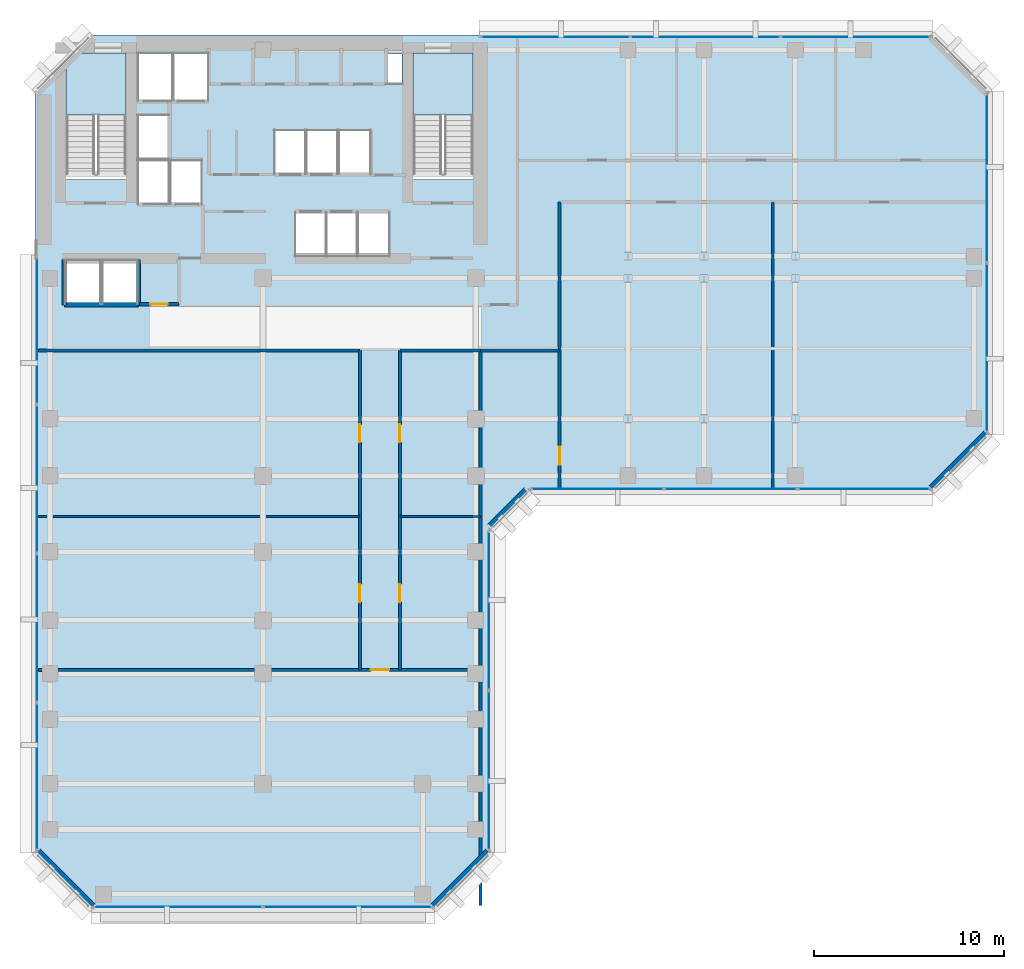
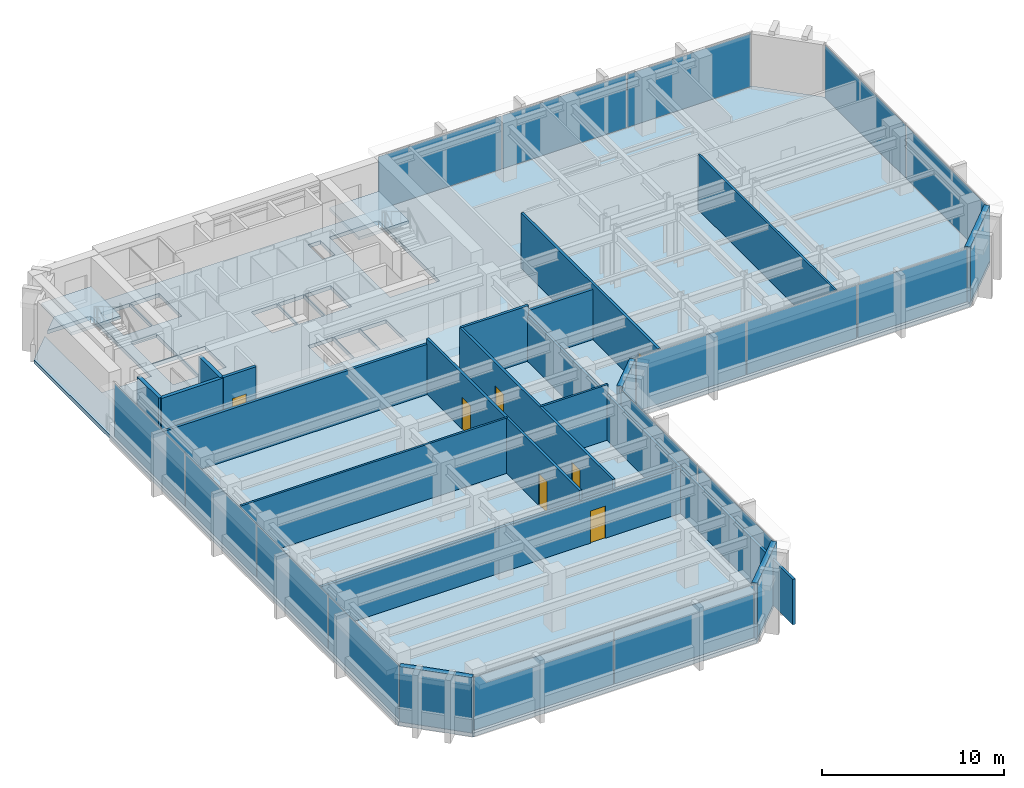
# One storey, part 6 of 11: 19 walls, 16 plates, 7 doors, 3 slabs, 7 openings, 8 elements without a shape of their own.
"""IFC4 building model written with IfcOpenShell, lengths in metres."""

import ifcopenshell
import ifcopenshell.guid

model = None  # the IFC model being written
_history = None  # IfcOwnerHistory: only IFC2X3 demands one
_inside = {}  # id of a spatial element -> (the spatial element, [elements in it])
_under = {}  # id of a project, library or spatial element -> (it, [spatial elements below it])
_declared = {}  # id of a project -> (the project, [libraries it declares])
_typed = {}  # id of a type object -> (the type object, [elements of that type])
_made_of = {}  # id of a material, layer set ... -> (it, [elements and type objects made of it])


def new_model(schema):
    """Start an empty IFC model of exactly this schema.

    Asked for "IFC4X3", IfcOpenShell would pick the latest addendum, in which some entities
    have other attributes; the version numbers below select the first issue.
    IFC2X3 requires an IfcOwnerHistory on every rooted entity: one is made here for all.
    """
    global model, _history
    if schema == "IFC4X3":
        model = ifcopenshell.file(schema_version=(4, 3, 0, 0))
    else:
        model = ifcopenshell.file(schema=schema)
    _inside.clear()
    _under.clear()
    _declared.clear()
    _typed.clear()
    _made_of.clear()
    _history = None
    if model.schema == "IFC2X3":
        org = make("IfcOrganization", Name="unknown")
        user = make(
            "IfcPersonAndOrganization",
            ThePerson=make("IfcPerson", FamilyName="unknown"),
            TheOrganization=org,
        )
        app = make(
            "IfcApplication",
            ApplicationDeveloper=org,
            Version="unknown",
            ApplicationFullName="unknown",
            ApplicationIdentifier="unknown",
        )
        _history = make(
            "IfcOwnerHistory",
            OwningUser=user,
            OwningApplication=app,
            ChangeAction="ADDED",
            CreationDate=0,
        )
    return model


def make(cls, **values):
    """One entity of the class cls with the attributes given. An attribute that is None is left unset."""
    return model.create_entity(
        cls, **{name: value for name, value in values.items() if value is not None}
    )


def rooted(cls, **values):
    """An entity with a GlobalId (a new one), such as an element, a storey or a relation."""
    return make(cls, GlobalId=ifcopenshell.guid.new(), OwnerHistory=_history, **values)


def si_unit(unit_type, name, prefix=None):
    """IfcSIUnit, for example si_unit("LENGTHUNIT", "METRE", prefix="MILLI")."""
    return make("IfcSIUnit", UnitType=unit_type, Prefix=prefix, Name=name)


def assignment(units):
    """IfcUnitAssignment: the units of a project."""
    return None if units is None else make("IfcUnitAssignment", Units=units)


def point(xyz):
    """IfcCartesianPoint."""
    return None if xyz is None else make("IfcCartesianPoint", Coordinates=xyz)


def direction(xyz):
    """IfcDirection."""
    return None if xyz is None else make("IfcDirection", DirectionRatios=xyz)


def frame(location, z_axis=None, x_axis=None):
    """IfcAxis2Placement3D, a coordinate frame: its origin and axes. An axis left out is left unset."""
    return make(
        "IfcAxis2Placement3D",
        Location=point(location),
        Axis=direction(z_axis),
        RefDirection=direction(x_axis),
    )


def frame_2d(location, x_axis=None):
    """IfcAxis2Placement2D, a coordinate frame in the plane: its origin and x axis."""
    return make(
        "IfcAxis2Placement2D", Location=point(location), RefDirection=direction(x_axis)
    )


def origin():
    """The frame at (0, 0, 0) with its axes left unset."""
    return frame((0.0, 0.0, 0.0))


def origin_2d():
    """The frame at (0, 0) in the plane with its x axis left unset."""
    return frame_2d((0.0, 0.0))


def place(relative_to, where):
    """IfcLocalPlacement: puts the frame where relative to a parent placement (None: the world)."""
    return make(
        "IfcLocalPlacement", PlacementRelTo=relative_to, RelativePlacement=where
    )


def context(
    kind, dimensions, precision=None, world=None, true_north=None, identifier=None
):
    """IfcGeometricRepresentationContext, for example the 3D "Model" context."""
    return make(
        "IfcGeometricRepresentationContext",
        ContextIdentifier=identifier,
        ContextType=kind,
        CoordinateSpaceDimension=dimensions,
        Precision=precision,
        WorldCoordinateSystem=world,
        TrueNorth=true_north,
    )


def subcontext(parent, identifier, kind, view, scale=None):
    """IfcGeometricRepresentationSubContext, for example "Body" below "Model"."""
    return make(
        "IfcGeometricRepresentationSubContext",
        ContextIdentifier=identifier,
        ContextType=kind,
        ParentContext=parent,
        TargetScale=scale,
        TargetView=view,
    )


def project(units=None, contexts=None):
    """IfcProject with its units and contexts."""
    return rooted(
        "IfcProject",
        Name="project",
        RepresentationContexts=contexts,
        UnitsInContext=assignment(units),
    )


def spatial(cls, under=None, at=None, **own):
    """A site, building, storey or space (cls), placed at a placement, below another one or the project."""
    s = rooted(cls, ObjectPlacement=at, **own)
    if under is not None:
        _under.setdefault(under.id(), (under, []))[1].append(s)
    return s


def polyline(points):
    """IfcPolyline through the points."""
    return make("IfcPolyline", Points=[point(p) for p in points])


def profile(cls, at=None, kind="AREA", **sizes):
    """A parametric profile (cls). Its sizes go by their IFC names, for example OverallWidth=200.0."""
    return make(cls, ProfileType=kind, Position=at, **sizes)


def rectangle(**sizes):
    """IfcRectangleProfileDef."""
    return profile("IfcRectangleProfileDef", **sizes)


def outline(outer, holes=None, kind="AREA"):
    """IfcArbitraryClosedProfileDef: a profile drawn as a closed curve; with holes, ...WithVoids."""
    if holes is None:
        return make("IfcArbitraryClosedProfileDef", ProfileType=kind, OuterCurve=outer)
    return make(
        "IfcArbitraryProfileDefWithVoids",
        ProfileType=kind,
        OuterCurve=outer,
        InnerCurves=holes,
    )


def extrude(swept, where, along, depth):
    """IfcExtrudedAreaSolid: the profile swept, set in the frame where, extruded along a direction by depth."""
    return make(
        "IfcExtrudedAreaSolid",
        SweptArea=swept,
        Position=where,
        ExtrudedDirection=direction(along),
        Depth=depth,
    )


def shape(context_of_items, identifier, shape_type, items):
    """IfcShapeRepresentation: the items that make up one representation, for example the "Body"."""
    return make(
        "IfcShapeRepresentation",
        ContextOfItems=context_of_items,
        RepresentationIdentifier=identifier,
        RepresentationType=shape_type,
        Items=items,
    )


def material(Name=None, Category=None):
    """IfcMaterial."""
    return make("IfcMaterial", Name=Name, Category=Category)


def layer(
    of_material, thickness, ventilated=None, Name=None, Category=None, Priority=None
):
    """IfcMaterialLayer: one layer of a wall or slab, of a material (None: an air gap)."""
    return make(
        "IfcMaterialLayer",
        Material=of_material,
        LayerThickness=thickness,
        IsVentilated=ventilated,
        Name=Name,
        Category=Category,
        Priority=Priority,
    )


def layer_set(layers, Name=None):
    """IfcMaterialLayerSet."""
    return make("IfcMaterialLayerSet", MaterialLayers=layers, LayerSetName=Name)


def made_of(thing, what):
    """Note that an element or type object is made of a material, layer set ...; save() writes the relation."""
    if what is not None:
        _made_of.setdefault(what.id(), (what, []))[1].append(thing)
    return thing


def type_object(cls, material=None, **own):
    """A type object (cls), such as IfcWallType, which elements share."""
    return made_of(rooted(cls, **own), material)


def element(
    cls,
    number,
    at=None,
    inside=None,
    cuts=None,
    type_object=None,
    material=None,
    context=None,
    identifier="Body",
    shape_type=None,
    held_by="IfcProductDefinitionShape",
    body=None,
    shapes=None,
    **own,
):
    """One element of the class cls, such as IfcWall. Its Tag is "e" and its number.

    at: its placement. inside: the storey or other place that contains it. cuts: it is an
    opening in that element (IfcRelVoidsElement). A single representation is given by context,
    identifier, shape_type and body (its items); several are given by shapes. held_by: the class
    of the entity that holds the representations. save() writes the other relations.
    """
    e = rooted(cls, Tag="e%d" % number, ObjectPlacement=at, **own)
    if body is not None:
        shapes = [shape(context, identifier, shape_type, body)]
    if shapes is not None:
        e.Representation = make(held_by, Representations=shapes)
    if inside is not None:
        _inside.setdefault(inside.id(), (inside, []))[1].append(e)
    if cuts is not None:
        rooted(
            "IfcRelVoidsElement", RelatingBuildingElement=cuts, RelatedOpeningElement=e
        )
    if type_object is not None:
        _typed.setdefault(type_object.id(), (type_object, []))[1].append(e)
    return made_of(e, material)


def fill(opening, filler):
    """IfcRelFillsElement: the door or window that sits in an opening."""
    return rooted(
        "IfcRelFillsElement",
        RelatingOpeningElement=opening,
        RelatedBuildingElement=filler,
    )


def aggregate(whole, parts):
    """IfcRelAggregates: a whole, such as a stair, and the parts it consists of."""
    return rooted("IfcRelAggregates", RelatingObject=whole, RelatedObjects=parts)


def save(model, path):
    """Write the relations noted so far, then the file.

    IfcRelAggregates (storeys below a building ...), IfcRelContainedInSpatialStructure (elements
    in a storey), IfcRelDefinesByType, IfcRelAssociatesMaterial and IfcRelDeclares: one each for
    every whole, place, type object, material and project.
    """
    for whole, parts in _under.values():
        aggregate(whole, parts)
    for where, things in _inside.values():
        rooted(
            "IfcRelContainedInSpatialStructure",
            RelatedElements=things,
            RelatingStructure=where,
        )
    for kind, things in _typed.values():
        rooted("IfcRelDefinesByType", RelatedObjects=things, RelatingType=kind)
    for what, things in _made_of.values():
        rooted("IfcRelAssociatesMaterial", RelatedObjects=things, RelatingMaterial=what)
    for by, libraries in _declared.values():
        rooted("IfcRelDeclares", RelatingContext=by, RelatedDefinitions=libraries)
    model.write(path)


model = new_model("IFC4")

# Units and contexts
model_context = context("Model", 3, precision=1e-05, world=origin(), true_north=direction((0.0, 1.0)))
body_context = subcontext(model_context, "Body", "Model", "MODEL_VIEW")
ifc_project = project(units=[si_unit("LENGTHUNIT", "METRE"), si_unit("AREAUNIT", "SQUARE_METRE"), si_unit("VOLUMEUNIT", "CUBIC_METRE"), si_unit("PLANEANGLEUNIT", "RADIAN"), si_unit("MASSUNIT", "GRAM", prefix="KILO")], contexts=[model_context])

# Site, building, storey
site_placement = place(None, origin())
site = spatial("IfcSite", under=ifc_project, at=site_placement, CompositionType="ELEMENT")
building_placement = place(site_placement, origin())
building = spatial("IfcBuilding", under=site, at=building_placement, Name="Kefirva Bronze Tower", CompositionType="ELEMENT")
storey_placement = place(building_placement, frame((0.0, 0.0, 179.52001953125)))
storey = spatial("IfcBuildingStorey", under=building, at=storey_placement, Name="L43", CompositionType="ELEMENT", Elevation=179.52001953125)

# Stair, slab
ifc_material_1 = material(Name="Concrete C40/50", Category="concrete")
stair_type = type_object("IfcStairType", Name="RC Dogleg Protected Stair 24R", PredefinedType="HALF_TURN_STAIR", material=ifc_material_1)
stair_1_placement = place(storey_placement, origin())
stair_1 = element("IfcStair", 1, at=stair_1_placement, inside=storey, type_object=stair_type, Name="L43 Protected Exit Stair 1", PredefinedType="HALF_TURN_STAIR")
ifc_layer_1 = layer(ifc_material_1, 0.199951171875, Name="Concrete C40/50")
ifc_layer_set_1 = layer_set([ifc_layer_1], Name="Concrete C40/50")
slab_type_1 = type_object("IfcSlabType", Name="RC Stair Landing Slab 200mm", PredefinedType="LANDING", material=ifc_layer_set_1)
slab_1_placement = place(storey_placement, frame((0.0, 0.0, 1.780029296875)))
slab_1 = element("IfcSlab", 2, at=slab_1_placement, type_object=slab_type_1, Name="ST-1 landing 1", PredefinedType="LANDING", context=body_context, shape_type="SweptSolid", body=[
    extrude(outline(polyline([(4.800048828125, 41.780029296875), (4.800048828125, 45.050048828125), (1.64990234375, 45.050048828125), (1.64990234375, 41.780029296875), (4.800048828125, 41.780029296875)])), origin(), (0.0, 0.0, 1.0), 0.199951171875),
])
aggregate(stair_1, [slab_1])

stair_2_placement = place(storey_placement, origin())
stair_2 = element("IfcStair", 3, at=stair_2_placement, inside=storey, type_object=stair_type, Name="L43 Protected Exit Stair 2", PredefinedType="HALF_TURN_STAIR")
slab_2_placement = place(storey_placement, frame((0.0, 0.0, 1.780029296875)))
slab_2 = element("IfcSlab", 4, at=slab_2_placement, type_object=slab_type_1, Name="ST-2 landing 1", PredefinedType="LANDING", context=body_context, shape_type="SweptSolid", body=[
    extrude(outline(polyline([(23.050048828125, 41.780029296875), (23.050048828125, 45.050048828125), (19.89990234375, 45.050048828125), (19.89990234375, 41.780029296875), (23.050048828125, 41.780029296875)])), origin(), (0.0, 0.0, 1.0), 0.199951171875),
])
aggregate(stair_2, [slab_2])

# Slab
ifc_layer_2 = layer(ifc_material_1, 0.25, Name="Concrete C40/50")
ifc_layer_set_2 = layer_set([ifc_layer_2], Name="Concrete C40/50")
slab_type_2 = type_object("IfcSlabType", Name="RC Tower Floor Slab 250mm", PredefinedType="FLOOR", material=ifc_layer_set_2)
slab_3_placement = place(storey_placement, frame((0.0, 0.0, -0.25)))
element("IfcSlab", 5, at=slab_3_placement, inside=storey, type_object=slab_type_2, Name="L43 Structural Floor Slab", PredefinedType="FLOOR", context=body_context, shape_type="SweptSolid", body=[
    extrude(outline(polyline([(0.0, 3.0), (0.0, 43.0), (1.64990234375, 44.64990234375), (1.64990234375, 38.39990234375), (4.800048828125, 38.39990234375), (4.800048828125, 45.050048828125), (2.050048828125, 45.050048828125), (3.0, 46.0), (47.199951171875, 46.0), (50.199951171875, 43.0), (50.199951171875, 25.0), (47.199951171875, 22.0), (26.0, 22.0), (24.0, 20.0), (24.0, 3.0), (21.0, 0.0), (3.0, 0.0), (0.0, 3.0)]), holes=[polyline([(23.050048828125, 38.39990234375), (23.050048828125, 45.050048828125), (19.89990234375, 45.050048828125), (19.89990234375, 38.39990234375), (23.050048828125, 38.39990234375)]), polyline([(19.320068359375, 43.419921875), (19.320068359375, 45.0), (18.52001953125, 45.0), (18.52001953125, 43.419921875), (19.320068359375, 43.419921875)]), polyline([(18.64990234375, 34.35009765625), (18.64990234375, 36.64990234375), (17.0, 36.64990234375), (17.0, 34.35009765625), (18.64990234375, 34.35009765625)]), polyline([(17.64990234375, 38.679931640625), (17.64990234375, 40.97998046875), (16.0, 40.97998046875), (16.0, 38.679931640625), (17.64990234375, 38.679931640625)]), polyline([(16.949951171875, 34.35009765625), (16.949951171875, 36.64990234375), (15.35009765625, 36.64990234375), (15.35009765625, 34.35009765625), (16.949951171875, 34.35009765625)]), polyline([(15.929931640625, 38.679931640625), (15.929931640625, 40.97998046875), (14.300048828125, 40.97998046875), (14.300048828125, 38.679931640625), (15.929931640625, 38.679931640625)]), polyline([(15.300048828125, 34.35009765625), (15.300048828125, 36.64990234375), (13.699951171875, 36.64990234375), (13.699951171875, 34.35009765625), (15.300048828125, 34.35009765625)]), polyline([(14.22998046875, 38.679931640625), (14.22998046875, 40.97998046875), (12.60009765625, 40.97998046875), (12.60009765625, 38.679931640625), (14.22998046875, 38.679931640625)]), polyline([(9.1201171875, 42.550048828125), (9.1201171875, 45.050048828125), (7.300048828125, 45.050048828125), (7.300048828125, 42.550048828125), (9.1201171875, 42.550048828125)]), polyline([(8.780029296875, 37.10009765625), (8.780029296875, 39.39990234375), (7.139892578125, 39.39990234375), (7.139892578125, 37.10009765625), (8.780029296875, 37.10009765625)]), polyline([(7.239990234375, 42.550048828125), (7.239990234375, 45.050048828125), (5.419921875, 45.050048828125), (5.419921875, 42.550048828125), (7.239990234375, 42.550048828125)]), polyline([(7.06005859375, 37.10009765625), (7.06005859375, 39.39990234375), (5.419921875, 39.39990234375), (5.419921875, 37.10009765625), (7.06005859375, 37.10009765625)]), polyline([(7.06005859375, 39.47998046875), (7.06005859375, 41.780029296875), (5.419921875, 41.780029296875), (5.419921875, 39.47998046875), (7.06005859375, 39.47998046875)]), polyline([(5.39990234375, 31.85009765625), (5.39990234375, 34.14990234375), (3.550048828125, 34.14990234375), (3.550048828125, 31.85009765625), (5.39990234375, 31.85009765625)]), polyline([(3.449951171875, 31.85009765625), (3.449951171875, 34.14990234375), (1.60009765625, 34.14990234375), (1.60009765625, 31.85009765625), (3.449951171875, 31.85009765625)])]), origin(), (0.0, 0.0, 1.0), 0.25),
])

# Curtain wall, plates
ifc_material_2 = material(Name="Bronze anodised aluminium", Category="aluminium")
ifc_layer_3 = layer(ifc_material_2, 0.199951171875, Name="Bronze anodised aluminium")
ifc_layer_set_3 = layer_set([ifc_layer_3], Name="Bronze anodised aluminium")
curtain_wall_type = type_object("IfcCurtainWallType", Name="Unitised Bronze Ribbon Curtain Wall Zone 2", PredefinedType="USERDEFINED", material=ifc_layer_set_3)
curtain_wall_1_placement = place(storey_placement, origin())
curtain_wall_1 = element("IfcCurtainWall", 6, at=curtain_wall_1_placement, inside=storey, type_object=curtain_wall_type, Name="L43 Curtain Wall 1", ObjectType="UNITISED CURTAIN WALL", PredefinedType="USERDEFINED")
ifc_material_3 = material(Name="Laminated low-E double glazing", Category="glass")
ifc_layer_4 = layer(ifc_material_3, 0.031982421875, Name="Laminated low-E double glazing")
ifc_layer_set_4 = layer_set([ifc_layer_4], Name="Laminated low-E double glazing")
plate_type = type_object("IfcPlateType", Name="Solar-Control Low-E Vision Panel 32mm", PredefinedType="CURTAIN_PANEL", material=ifc_layer_set_4)
plate_1_placement = place(storey_placement, frame((7.546142578125, 0.1201171875, 0.074951171875), z_axis=(0.0, 0.0, 1.0), x_axis=(1.0, 0.0, 0.0)))
plate_1 = element("IfcPlate", 7, at=plate_1_placement, type_object=plate_type, Name="CW-02 panel 1.1", PredefinedType="CURTAIN_PANEL", context=body_context, shape_type="SweptSolid", body=[
    extrude(rectangle(XDim=8.83251953125, YDim=0.031982421875, at=origin_2d()), origin(), (0.0, 0.0, 1.0), 3.56005859375),
])
plate_2_placement = place(storey_placement, frame((16.453857421875, 0.1201171875, 0.074951171875), z_axis=(0.0, 0.0, 1.0), x_axis=(1.0, 0.0, 0.0)))
plate_2 = element("IfcPlate", 8, at=plate_2_placement, type_object=plate_type, Name="CW-02 panel 2.1", PredefinedType="CURTAIN_PANEL", context=body_context, shape_type="SweptSolid", body=[
    extrude(rectangle(XDim=8.83251953125, YDim=0.031982421875, at=origin_2d()), origin(), (0.0, 0.0, 1.0), 3.56005859375),
])
aggregate(curtain_wall_1, [plate_1, plate_2])

curtain_wall_2_placement = place(storey_placement, origin())
curtain_wall_2 = element("IfcCurtainWall", 9, at=curtain_wall_2_placement, inside=storey, type_object=curtain_wall_type, Name="L43 Curtain Wall 2", ObjectType="UNITISED CURTAIN WALL", PredefinedType="USERDEFINED")
plate_3_placement = place(storey_placement, frame((23.8798828125, 7.296142578125, 0.074951171875), z_axis=(0.0, 0.0, 1.0), x_axis=(0.0, 1.0, 0.0)))
plate_3 = element("IfcPlate", 10, at=plate_3_placement, type_object=plate_type, Name="CW-02 panel 1.1", PredefinedType="CURTAIN_PANEL", context=body_context, shape_type="SweptSolid", body=[
    extrude(rectangle(XDim=8.33251953125, YDim=0.031982421875, at=origin_2d()), origin(), (0.0, 0.0, 1.0), 3.56005859375),
])
plate_4_placement = place(storey_placement, frame((23.8798828125, 15.703857421875, 0.074951171875), z_axis=(0.0, 0.0, 1.0), x_axis=(0.0, 1.0, 0.0)))
plate_4 = element("IfcPlate", 11, at=plate_4_placement, type_object=plate_type, Name="CW-02 panel 2.1", PredefinedType="CURTAIN_PANEL", context=body_context, shape_type="SweptSolid", body=[
    extrude(rectangle(XDim=8.33251953125, YDim=0.031982421875, at=origin_2d()), origin(), (0.0, 0.0, 1.0), 3.56005859375),
])
aggregate(curtain_wall_2, [plate_3, plate_4])

curtain_wall_3_placement = place(storey_placement, origin())
curtain_wall_3 = element("IfcCurtainWall", 12, at=curtain_wall_3_placement, inside=storey, type_object=curtain_wall_type, Name="L43 Curtain Wall 3", ObjectType="UNITISED CURTAIN WALL", PredefinedType="USERDEFINED")
plate_5_placement = place(storey_placement, frame((29.5888671875, 22.1201171875, 0.074951171875), z_axis=(0.0, 0.0, 1.0), x_axis=(1.0, 0.0, 0.0)))
plate_5 = element("IfcPlate", 13, at=plate_5_placement, type_object=plate_type, Name="CW-02 panel 1.1", PredefinedType="CURTAIN_PANEL", context=body_context, shape_type="SweptSolid", body=[
    extrude(rectangle(XDim=6.91748046875, YDim=0.031982421875, at=origin_2d()), origin(), (0.0, 0.0, 1.0), 3.56005859375),
])
plate_6_placement = place(storey_placement, frame((36.60009765625, 22.1201171875, 0.074951171875), z_axis=(0.0, 0.0, 1.0), x_axis=(1.0, 0.0, 0.0)))
plate_6 = element("IfcPlate", 14, at=plate_6_placement, type_object=plate_type, Name="CW-02 panel 2.1", PredefinedType="CURTAIN_PANEL", context=body_context, shape_type="SweptSolid", body=[
    extrude(rectangle(XDim=6.955078125, YDim=0.031982421875, at=origin_2d()), origin(), (0.0, 0.0, 1.0), 3.56005859375),
])
plate_7_placement = place(storey_placement, frame((43.611328125, 22.1201171875, 0.074951171875), z_axis=(0.0, 0.0, 1.0), x_axis=(1.0, 0.0, 0.0)))
plate_7 = element("IfcPlate", 15, at=plate_7_placement, type_object=plate_type, Name="CW-02 panel 3.1", PredefinedType="CURTAIN_PANEL", context=body_context, shape_type="SweptSolid", body=[
    extrude(rectangle(XDim=6.91748046875, YDim=0.031982421875, at=origin_2d()), origin(), (0.0, 0.0, 1.0), 3.56005859375),
])
aggregate(curtain_wall_3, [plate_5, plate_6, plate_7])

curtain_wall_4_placement = place(storey_placement, origin())
curtain_wall_4 = element("IfcCurtainWall", 16, at=curtain_wall_4_placement, inside=storey, type_object=curtain_wall_type, Name="L43 Curtain Wall 4", ObjectType="UNITISED CURTAIN WALL", PredefinedType="USERDEFINED")
plate_8_placement = place(storey_placement, frame((50.080078125, 29.546142578125, 0.074951171875), z_axis=(0.0, 0.0, 1.0), x_axis=(0.0, 1.0, 0.0)))
plate_8 = element("IfcPlate", 17, at=plate_8_placement, type_object=plate_type, Name="CW-02 panel 1.1", PredefinedType="CURTAIN_PANEL", context=body_context, shape_type="SweptSolid", body=[
    extrude(rectangle(XDim=8.83251953125, YDim=0.031982421875, at=origin_2d()), origin(), (0.0, 0.0, 1.0), 3.56005859375),
])
plate_9_placement = place(storey_placement, frame((50.080078125, 38.453857421875, 0.074951171875), z_axis=(0.0, 0.0, 1.0), x_axis=(0.0, 1.0, 0.0)))
plate_9 = element("IfcPlate", 18, at=plate_9_placement, type_object=plate_type, Name="CW-02 panel 2.1", PredefinedType="CURTAIN_PANEL", context=body_context, shape_type="SweptSolid", body=[
    extrude(rectangle(XDim=8.83251953125, YDim=0.031982421875, at=origin_2d()), origin(), (0.0, 0.0, 1.0), 3.56005859375),
])
aggregate(curtain_wall_4, [plate_8, plate_9])

curtain_wall_5_placement = place(storey_placement, origin())
curtain_wall_5 = element("IfcCurtainWall", 19, at=curtain_wall_5_placement, inside=storey, type_object=curtain_wall_type, Name="L43 Curtain Wall 5", ObjectType="UNITISED CURTAIN WALL", PredefinedType="USERDEFINED")
plate_10_placement = place(storey_placement, frame((43.169677734375, 45.8798828125, 0.074951171875), z_axis=(0.0, 0.0, 1.0), x_axis=(-1.0, 0.0, 0.0)))
plate_10 = element("IfcPlate", 20, at=plate_10_placement, type_object=plate_type, Name="CW-02 panel 1.1", PredefinedType="CURTAIN_PANEL", context=body_context, shape_type="SweptSolid", body=[
    extrude(rectangle(XDim=7.80078125, YDim=0.031982421875, at=origin_2d()), origin(), (0.0, 0.0, 1.0), 3.56005859375),
])
plate_11_placement = place(storey_placement, frame((35.27490234375, 45.8798828125, 0.074951171875), z_axis=(0.0, 0.0, 1.0), x_axis=(-1.0, 0.0, 0.0)))
plate_11 = element("IfcPlate", 21, at=plate_11_placement, type_object=plate_type, Name="CW-02 panel 2.1", PredefinedType="CURTAIN_PANEL", context=body_context, shape_type="SweptSolid", body=[
    extrude(rectangle(XDim=7.83837890625, YDim=0.031982421875, at=origin_2d()), origin(), (0.0, 0.0, 1.0), 3.56005859375),
])
plate_12_placement = place(storey_placement, frame((27.38037109375, 45.8798828125, 0.074951171875), z_axis=(0.0, 0.0, 1.0), x_axis=(-1.0, 0.0, 0.0)))
plate_12 = element("IfcPlate", 22, at=plate_12_placement, type_object=plate_type, Name="CW-02 panel 3.1", PredefinedType="CURTAIN_PANEL", context=body_context, shape_type="SweptSolid", body=[
    extrude(rectangle(XDim=7.80078125, YDim=0.031982421875, at=origin_2d()), origin(), (0.0, 0.0, 1.0), 3.56005859375),
])
aggregate(curtain_wall_5, [plate_10, plate_11, plate_12])

curtain_wall_6_placement = place(storey_placement, origin())
curtain_wall_6 = element("IfcCurtainWall", 23, at=curtain_wall_6_placement, inside=storey, type_object=curtain_wall_type, Name="L43 Curtain Wall 6", ObjectType="UNITISED CURTAIN WALL", PredefinedType="USERDEFINED")
plate_13_placement = place(storey_placement, frame((0.1201171875, 30.458740234375, 0.074951171875), z_axis=(0.0, 0.0, 1.0), x_axis=(0.0, -1.0, 0.0)))
plate_13 = element("IfcPlate", 24, at=plate_13_placement, type_object=plate_type, Name="CW-02 panel 1.1", PredefinedType="CURTAIN_PANEL", context=body_context, shape_type="SweptSolid", body=[
    extrude(rectangle(XDim=7.722412109375, YDim=0.031982421875, at=origin_2d()), origin(), (0.0, 0.0, 1.0), 3.56005859375),
])
plate_14_placement = place(storey_placement, frame((0.1201171875, 22.642578125, 0.074951171875), z_axis=(0.0, 0.0, 1.0), x_axis=(0.0, -1.0, 0.0)))
plate_14 = element("IfcPlate", 25, at=plate_14_placement, type_object=plate_type, Name="CW-02 panel 2.1", PredefinedType="CURTAIN_PANEL", context=body_context, shape_type="SweptSolid", body=[
    extrude(rectangle(XDim=7.760009765625, YDim=0.031982421875, at=origin_2d()), origin(), (0.0, 0.0, 1.0), 3.56005859375),
])
plate_15_placement = place(storey_placement, frame((0.1201171875, 14.8076171875, 0.074951171875), z_axis=(0.0, 0.0, 1.0), x_axis=(0.0, -1.0, 0.0)))
plate_15 = element("IfcPlate", 26, at=plate_15_placement, type_object=plate_type, Name="CW-02 panel 3.1", PredefinedType="CURTAIN_PANEL", context=body_context, shape_type="SweptSolid", body=[
    extrude(rectangle(XDim=7.760009765625, YDim=0.031982421875, at=origin_2d()), origin(), (0.0, 0.0, 1.0), 3.56005859375),
])
plate_16_placement = place(storey_placement, frame((0.1201171875, 6.9912109375, 0.074951171875), z_axis=(0.0, 0.0, 1.0), x_axis=(0.0, -1.0, 0.0)))
plate_16 = element("IfcPlate", 27, at=plate_16_placement, type_object=plate_type, Name="CW-02 panel 4.1", PredefinedType="CURTAIN_PANEL", context=body_context, shape_type="SweptSolid", body=[
    extrude(rectangle(XDim=7.722412109375, YDim=0.031982421875, at=origin_2d()), origin(), (0.0, 0.0, 1.0), 3.56005859375),
])
aggregate(curtain_wall_6, [plate_13, plate_14, plate_15, plate_16])

# Walls
ifc_material_4 = material(Name="Gypsum acoustic partition")
ifc_layer_5 = layer(ifc_material_4, 0.1298828125, Name="Gypsum acoustic partition")
ifc_layer_set_5 = layer_set([ifc_layer_5], Name="Gypsum acoustic partition")
wall_type_1 = type_object("IfcWallType", Name="Acoustic Office Partition 130mm", PredefinedType="PARTITIONING", material=ifc_layer_set_5)
wall_1_placement = place(storey_placement, frame((0.18994140625, 20.6640625, 0.0), z_axis=(0.0, 0.0, 1.0), x_axis=(1.0, 0.0, 0.0)))
element("IfcWall", 28, at=wall_1_placement, inside=storey, type_object=wall_type_1, Name="L43 Partition W-L43-SWD1", PredefinedType="PARTITIONING", context=body_context, shape_type="SweptSolid", body=[
    extrude(rectangle(XDim=16.91015625, YDim=0.1298828125, at=frame_2d((8.455078125, 0.0))), origin(), (0.0, 0.0, 1.0), 3.7099609375),
])
wall_2_placement = place(storey_placement, frame((19.199951171875, 20.6640625, 0.0), z_axis=(0.0, 0.0, 1.0), x_axis=(1.0, 0.0, 0.0)))
element("IfcWall", 29, at=wall_2_placement, inside=storey, type_object=wall_type_1, Name="L43 Partition W-L43-SED1", PredefinedType="PARTITIONING", context=body_context, shape_type="SweptSolid", body=[
    extrude(rectangle(XDim=4.25, YDim=0.1298828125, at=frame_2d((2.125, 0.0))), origin(), (0.0, 0.0, 1.0), 3.7099609375),
])
wall_3_placement = place(storey_placement, frame((38.804931640625, 22.18994140625, 0.0), z_axis=(0.0, 0.0, 1.0), x_axis=(0.0, 1.0, 0.0)))
element("IfcWall", 30, at=wall_3_placement, inside=storey, type_object=wall_type_1, Name="L43 Partition W-L43-ESD1", PredefinedType="PARTITIONING", context=body_context, shape_type="SweptSolid", body=[
    extrude(rectangle(XDim=15.010009765625, YDim=0.1298828125, at=frame_2d((7.5048828125, 0.0))), origin(), (0.0, 0.0, 1.0), 3.7099609375),
])
ifc_material_5 = material(Name="Gypsum fireboard shaftwall")
ifc_layer_6 = layer(ifc_material_5, 0.219970703125, Name="Gypsum fireboard shaftwall")
ifc_layer_set_6 = layer_set([ifc_layer_6], Name="Gypsum fireboard shaftwall")
wall_type_2 = type_object("IfcWallType", Name="Fire-Rated Shaft Enclosure Wall 220mm", PredefinedType="PARTITIONING", material=ifc_layer_set_6)
wall_4_placement = place(storey_placement, frame((1.550048828125, 31.800048828125, 0.0), z_axis=(0.0, 0.0, 1.0), x_axis=(1.0, 0.0, 0.0)))
element("IfcWall", 31, at=wall_4_placement, inside=storey, type_object=wall_type_2, Name="L43 Partition W-L43-OBS", PredefinedType="PARTITIONING", context=body_context, shape_type="SweptSolid", body=[
    extrude(rectangle(XDim=3.89990234375, YDim=0.219970703125, at=frame_2d((1.949951171875, 0.0))), origin(), (0.0, 0.0, 1.0), 3.7099609375),
])
for number, where, z_axis, x_axis, name in (
    (32, (1.550048828125, 31.800048828125, 0.0), (0.0, 0.0, 1.0), (0.0, 1.0, 0.0), "L43 Partition W-L43-OBW"),
    (33, (5.449951171875, 31.800048828125, 0.0), (0.0, 0.0, 1.0), (0.0, 1.0, 0.0), "L43 Partition W-L43-OBE"),
):
    element("IfcWall", number, at=place(storey_placement, frame(where, z_axis=z_axis, x_axis=x_axis)), inside=storey, type_object=wall_type_2, Name=name, PredefinedType="PARTITIONING", context=body_context, shape_type="SweptSolid", body=[
        extrude(rectangle(XDim=2.3798828125, YDim=0.219970703125, at=frame_2d((1.18994140625, 0.0))), origin(), (0.0, 0.0, 1.0), 3.7099609375),
    ])
ifc_material_6 = material(Name="Precast concrete C40/50", Category="concrete")
ifc_layer_7 = layer(ifc_material_6, 0.320068359375, Name="Precast concrete C40/50")
ifc_layer_set_7 = layer_set([ifc_layer_7], Name="Precast concrete C40/50")
wall_type_3 = type_object("IfcWallType", Name="Precast Insulated Exterior Wall 320mm", PredefinedType="SOLIDWALL", material=ifc_layer_set_7)
wall_5_placement = place(storey_placement, frame((20.92578125, 0.152099609375, 0.0), z_axis=(0.0, 0.0, 1.0), x_axis=(0.707106781187, 0.707106781187, 0.0)))
element("IfcWall", 34, at=wall_5_placement, inside=storey, type_object=wall_type_3, Name="L43 Exterior Facade Wall 1", PredefinedType="SOLIDWALL", context=body_context, shape_type="SweptSolid", body=[
    extrude(rectangle(XDim=4.132568359375, YDim=0.320068359375, at=frame_2d((2.06640625, 0.0))), origin(), (0.0, 0.0, 1.0), 3.7099609375),
])
wall_6_placement = place(storey_placement, frame((23.92578125, 20.152099609375, 0.0), z_axis=(0.0, 0.0, 1.0), x_axis=(0.707106781187, 0.707106781187, 0.0)))
element("IfcWall", 35, at=wall_6_placement, inside=storey, type_object=wall_type_3, Name="L43 Exterior Facade Wall 2", PredefinedType="SOLIDWALL", context=body_context, shape_type="SweptSolid", body=[
    extrude(rectangle(XDim=2.71826171875, YDim=0.320068359375, at=frame_2d((1.359130859375, 0.0))), origin(), (0.0, 0.0, 1.0), 3.7099609375),
])
for number, where, z_axis, x_axis, name in (
    (36, (47.125732421875, 22.152099609375, 0.0), (0.0, 0.0, 1.0), (0.707136318428, 0.707077242712, 0.0), "L43 Exterior Facade Wall 3"),
    (37, (0.152099609375, 3.07421875, 0.0), (0.0, 0.0, 1.0), (0.707106781187, -0.707106781187, 0.0), "L43 Exterior Facade Wall 6"),
):
    element("IfcWall", number, at=place(storey_placement, frame(where, z_axis=z_axis, x_axis=x_axis)), inside=storey, type_object=wall_type_3, Name=name, PredefinedType="SOLIDWALL", context=body_context, shape_type="SweptSolid", body=[
        extrude(rectangle(XDim=4.132568359375, YDim=0.320068359375, at=frame_2d((2.06640625, 0.0))), origin(), (0.0, 0.0, 1.0), 3.7099609375),
    ])

# Wall, openings, doors
ifc_layer_8 = layer(ifc_material_4, 0.159912109375, Name="Gypsum acoustic partition")
ifc_layer_set_8 = layer_set([ifc_layer_8], Name="Gypsum acoustic partition")
wall_type_4 = type_object("IfcWallType", Name="Protected Corridor Partition 160mm", PredefinedType="PARTITIONING", material=ifc_layer_set_8)
wall_7_placement = place(storey_placement, frame((17.10009765625, 12.60009765625, 0.0), z_axis=(0.0, 0.0, 1.0), x_axis=(0.0, 1.0, 0.0)))
wall_7 = element("IfcWall", 38, at=wall_7_placement, inside=storey, type_object=wall_type_4, Name="L43 Partition W-L43-SWCORW", PredefinedType="PARTITIONING", context=body_context, shape_type="SweptSolid", body=[
    extrude(rectangle(XDim=16.7998046875, YDim=0.159912109375, at=frame_2d((8.39990234375, 0.0))), origin(), (0.0, 0.0, 1.0), 3.7099609375),
])
opening_1_placement = place(wall_7_placement, frame((4.5068359375, 0.0, 0.0), z_axis=(0.0, 0.0, 1.0), x_axis=(-1.0, 0.0, 0.0)))
opening_1 = element("IfcOpeningElement", 39, at=opening_1_placement, cuts=wall_7, Name="Opening L43-D-SW1", PredefinedType="OPENING", context=body_context, shape_type="SweptSolid", body=[
    extrude(rectangle(XDim=0.949951171875, YDim=2.14990234375, at=frame_2d((0.47509765625, 1.074951171875))), frame((0.0, 0.08984375, 0.0), z_axis=(0.0, -1.0, 0.0), x_axis=(1.0, 0.0, 0.0)), (0.0, 0.0, 1.0), 0.179931640625),
])
opening_2_placement = place(wall_7_placement, frame((12.906982421875, 0.0, 0.0), z_axis=(0.0, 0.0, 1.0), x_axis=(-1.0, 0.0, 0.0)))
opening_2 = element("IfcOpeningElement", 40, at=opening_2_placement, cuts=wall_7, Name="Opening L43-D-SW2", PredefinedType="OPENING", context=body_context, shape_type="SweptSolid", body=[
    extrude(rectangle(XDim=0.949951171875, YDim=2.14990234375, at=frame_2d((0.47509765625, 1.074951171875))), frame((0.0, 0.08984375, 0.0), z_axis=(0.0, -1.0, 0.0), x_axis=(1.0, 0.0, 0.0)), (0.0, 0.0, 1.0), 0.179931640625),
])
ifc_material_7 = material(Name="Acoustic hardwood oak", Category="wood")
door_type_1 = type_object("IfcDoorType", Name="Office & Meeting Room Door 950x2150", OperationType="NOTDEFINED", PredefinedType="DOOR", material=ifc_material_7)
door_1_placement = place(opening_1_placement, origin())
door_1 = element("IfcDoor", 41, at=door_1_placement, inside=storey, type_object=door_type_1, Name="Door L43-D-SW1", OperationType="SINGLE_SWING_LEFT", OverallHeight=2.14990234375, OverallWidth=0.949951171875, PredefinedType="DOOR", context=body_context, shape_type="SweptSolid", body=[
    extrude(rectangle(XDim=0.949951171875, YDim=2.14990234375, at=frame_2d((0.47509765625, 1.074951171875))), frame((0.0, 0.02490234375, 0.0), z_axis=(0.0, -1.0, 0.0), x_axis=(1.0, 0.0, 0.0)), (0.0, 0.0, 1.0), 0.050048828125),
])
fill(opening_1, door_1)
door_2_placement = place(opening_2_placement, origin())
door_2 = element("IfcDoor", 42, at=door_2_placement, inside=storey, type_object=door_type_1, Name="Door L43-D-SW2", OperationType="SINGLE_SWING_RIGHT", OverallHeight=2.14990234375, OverallWidth=0.949951171875, PredefinedType="DOOR", context=body_context, shape_type="SweptSolid", body=[
    extrude(rectangle(XDim=0.949951171875, YDim=2.14990234375, at=frame_2d((0.47509765625, 1.074951171875))), frame((0.0, 0.02490234375, 0.0), z_axis=(0.0, -1.0, 0.0), x_axis=(1.0, 0.0, 0.0)), (0.0, 0.0, 1.0), 0.050048828125),
])
fill(opening_2, door_2)

wall_8_placement = place(storey_placement, frame((19.199951171875, 12.60009765625, 0.0), z_axis=(0.0, 0.0, 1.0), x_axis=(0.0, 1.0, 0.0)))
wall_8 = element("IfcWall", 43, at=wall_8_placement, inside=storey, type_object=wall_type_4, Name="L43 Partition W-L43-SECORE", PredefinedType="PARTITIONING", context=body_context, shape_type="SweptSolid", body=[
    extrude(rectangle(XDim=16.7998046875, YDim=0.159912109375, at=frame_2d((8.39990234375, 0.0))), origin(), (0.0, 0.0, 1.0), 3.7099609375),
])
opening_3_placement = place(wall_8_placement, frame((3.556884765625, 0.0, 0.0)))
opening_3 = element("IfcOpeningElement", 44, at=opening_3_placement, cuts=wall_8, Name="Opening L43-D-SE1", PredefinedType="OPENING", context=body_context, shape_type="SweptSolid", body=[
    extrude(rectangle(XDim=0.949951171875, YDim=2.14990234375, at=frame_2d((0.47509765625, 1.074951171875))), frame((0.0, 0.08984375, 0.0), z_axis=(0.0, -1.0, 0.0), x_axis=(1.0, 0.0, 0.0)), (0.0, 0.0, 1.0), 0.179931640625),
])
opening_4_placement = place(wall_8_placement, frame((11.95703125, 0.0, 0.0)))
opening_4 = element("IfcOpeningElement", 45, at=opening_4_placement, cuts=wall_8, Name="Opening L43-D-SE2", PredefinedType="OPENING", context=body_context, shape_type="SweptSolid", body=[
    extrude(rectangle(XDim=0.949951171875, YDim=2.14990234375, at=frame_2d((0.47509765625, 1.074951171875))), frame((0.0, 0.08984375, 0.0), z_axis=(0.0, -1.0, 0.0), x_axis=(1.0, 0.0, 0.0)), (0.0, 0.0, 1.0), 0.179931640625),
])
door_3_placement = place(opening_3_placement, origin())
door_3 = element("IfcDoor", 46, at=door_3_placement, inside=storey, type_object=door_type_1, Name="Door L43-D-SE1", OperationType="SINGLE_SWING_LEFT", OverallHeight=2.14990234375, OverallWidth=0.949951171875, PredefinedType="DOOR", context=body_context, shape_type="SweptSolid", body=[
    extrude(rectangle(XDim=0.949951171875, YDim=2.14990234375, at=frame_2d((0.47509765625, 1.074951171875))), frame((0.0, 0.02490234375, 0.0), z_axis=(0.0, -1.0, 0.0), x_axis=(1.0, 0.0, 0.0)), (0.0, 0.0, 1.0), 0.050048828125),
])
fill(opening_3, door_3)
door_4_placement = place(opening_4_placement, origin())
door_4 = element("IfcDoor", 47, at=door_4_placement, inside=storey, type_object=door_type_1, Name="Door L43-D-SE2", OperationType="SINGLE_SWING_RIGHT", OverallHeight=2.14990234375, OverallWidth=0.949951171875, PredefinedType="DOOR", context=body_context, shape_type="SweptSolid", body=[
    extrude(rectangle(XDim=0.949951171875, YDim=2.14990234375, at=frame_2d((0.47509765625, 1.074951171875))), frame((0.0, 0.02490234375, 0.0), z_axis=(0.0, -1.0, 0.0), x_axis=(1.0, 0.0, 0.0)), (0.0, 0.0, 1.0), 0.050048828125),
])
fill(opening_4, door_4)

# Wall, opening, door
wall_9_placement = place(storey_placement, frame((0.18994140625, 12.60009765625, 0.0), z_axis=(0.0, 0.0, 1.0), x_axis=(1.0, 0.0, 0.0)))
wall_9 = element("IfcWall", 48, at=wall_9_placement, inside=storey, type_object=wall_type_4, Name="L43 Partition W-L43-SBEND", PredefinedType="PARTITIONING", context=body_context, shape_type="SweptSolid", body=[
    extrude(rectangle(XDim=23.260009765625, YDim=0.159912109375, at=frame_2d((11.6298828125, 0.0))), origin(), (0.0, 0.0, 1.0), 3.044921875),
])
opening_5_placement = place(wall_9_placement, frame((17.489990234375, 0.0, 0.0)))
opening_5 = element("IfcOpeningElement", 49, at=opening_5_placement, cuts=wall_9, Name="Opening L43-D-SEND1", PredefinedType="OPENING", context=body_context, shape_type="SweptSolid", body=[
    extrude(rectangle(XDim=0.949951171875, YDim=2.14990234375, at=frame_2d((0.47509765625, 1.074951171875))), frame((0.0, 0.08984375, 0.0), z_axis=(0.0, -1.0, 0.0), x_axis=(1.0, 0.0, 0.0)), (0.0, 0.0, 1.0), 0.179931640625),
])
door_5_placement = place(opening_5_placement, origin())
door_5 = element("IfcDoor", 50, at=door_5_placement, inside=storey, type_object=door_type_1, Name="Door L43-D-SEND1", OperationType="SINGLE_SWING_RIGHT", OverallHeight=2.14990234375, OverallWidth=0.949951171875, PredefinedType="DOOR", context=body_context, shape_type="SweptSolid", body=[
    extrude(rectangle(XDim=0.949951171875, YDim=2.14990234375, at=frame_2d((0.47509765625, 1.074951171875))), frame((0.0, 0.02490234375, 0.0), z_axis=(0.0, -1.0, 0.0), x_axis=(1.0, 0.0, 0.0)), (0.0, 0.0, 1.0), 0.050048828125),
])
fill(opening_5, door_5)

# Walls
wall_10_placement = place(storey_placement, frame((0.18994140625, 29.39990234375, 0.0), z_axis=(0.0, 0.0, 1.0), x_axis=(1.0, 0.0, 0.0)))
element("IfcWall", 51, at=wall_10_placement, inside=storey, type_object=wall_type_4, Name="L43 Partition W-L43-NWT", PredefinedType="PARTITIONING", context=body_context, shape_type="SweptSolid", body=[
    extrude(rectangle(XDim=16.91015625, YDim=0.159912109375, at=frame_2d((8.455078125, 0.0))), origin(), (0.0, 0.0, 1.0), 3.364990234375),
])
wall_11_placement = place(storey_placement, frame((19.199951171875, 29.39990234375, 0.0), z_axis=(0.0, 0.0, 1.0), x_axis=(1.0, 0.0, 0.0)))
element("IfcWall", 52, at=wall_11_placement, inside=storey, type_object=wall_type_4, Name="L43 Partition W-L43-NET", PredefinedType="PARTITIONING", context=body_context, shape_type="SweptSolid", body=[
    extrude(rectangle(XDim=4.25, YDim=0.159912109375, at=frame_2d((2.125, 0.0))), origin(), (0.0, 0.0, 1.0), 3.7099609375),
])
wall_12_placement = place(storey_placement, frame((23.449951171875, 0.18994140625, 0.0), z_axis=(0.0, 0.0, 1.0), x_axis=(0.0, 1.0, 0.0)))
element("IfcWall", 53, at=wall_12_placement, inside=storey, type_object=wall_type_4, Name="L43 Partition W-L43-SWEAST", PredefinedType="PARTITIONING", context=body_context, shape_type="SweptSolid", body=[
    extrude(rectangle(XDim=29.2099609375, YDim=0.159912109375, at=frame_2d((14.60498046875, 0.0))), origin(), (0.0, 0.0, 1.0), 3.044921875),
])

# Wall, opening, door
wall_13_placement = place(storey_placement, frame((27.60009765625, 22.18994140625, 0.0), z_axis=(0.0, 0.0, 1.0), x_axis=(0.0, 1.0, 0.0)))
wall_13 = element("IfcWall", 54, at=wall_13_placement, inside=storey, type_object=wall_type_4, Name="L43 Partition W-L43-ELKE", PredefinedType="PARTITIONING", context=body_context, shape_type="SweptSolid", body=[
    extrude(rectangle(XDim=15.010009765625, YDim=0.159912109375, at=frame_2d((7.5048828125, 0.0))), origin(), (0.0, 0.0, 1.0), 3.7099609375),
])
opening_6_placement = place(wall_13_placement, frame((2.14990234375, 0.0, 0.0), z_axis=(0.0, 0.0, 1.0), x_axis=(-1.0, 0.0, 0.0)))
opening_6 = element("IfcOpeningElement", 55, at=opening_6_placement, cuts=wall_13, Name="Opening L43-D-ESW", PredefinedType="OPENING", context=body_context, shape_type="SweptSolid", body=[
    extrude(rectangle(XDim=0.949951171875, YDim=2.14990234375, at=frame_2d((0.47509765625, 1.074951171875))), frame((0.0, 0.08984375, 0.0), z_axis=(0.0, -1.0, 0.0), x_axis=(1.0, 0.0, 0.0)), (0.0, 0.0, 1.0), 0.179931640625),
])
door_6_placement = place(opening_6_placement, origin())
door_6 = element("IfcDoor", 56, at=door_6_placement, inside=storey, type_object=door_type_1, Name="Door L43-D-ESW", OperationType="SINGLE_SWING_RIGHT", OverallHeight=2.14990234375, OverallWidth=0.949951171875, PredefinedType="DOOR", context=body_context, shape_type="SweptSolid", body=[
    extrude(rectangle(XDim=0.949951171875, YDim=2.14990234375, at=frame_2d((0.47509765625, 1.074951171875))), frame((0.0, 0.02490234375, 0.0), z_axis=(0.0, -1.0, 0.0), x_axis=(1.0, 0.0, 0.0)), (0.0, 0.0, 1.0), 0.050048828125),
])
fill(opening_6, door_6)

# Wall
wall_14_placement = place(storey_placement, frame((23.449951171875, 29.39990234375, 0.0), z_axis=(0.0, 0.0, 1.0), x_axis=(1.0, 0.0, 0.0)))
element("IfcWall", 57, at=wall_14_placement, inside=storey, type_object=wall_type_4, Name="L43 Partition W-L43-ECS0", PredefinedType="PARTITIONING", context=body_context, shape_type="SweptSolid", body=[
    extrude(rectangle(XDim=4.150146484375, YDim=0.159912109375, at=frame_2d((2.0751953125, 0.0))), origin(), (0.0, 0.0, 1.0), 3.364990234375),
])

# Wall, opening, door
ifc_material_8 = material(Name="Moisture-resistant partition")
ifc_layer_9 = layer(ifc_material_8, 0.179931640625, Name="Moisture-resistant partition")
ifc_layer_set_9 = layer_set([ifc_layer_9], Name="Moisture-resistant partition")
wall_type_5 = type_object("IfcWallType", Name="Sanitary Plumbing Chase Wall 180mm", PredefinedType="PLUMBINGWALL", material=ifc_layer_set_9)
wall_15_placement = place(storey_placement, frame((5.5, 31.820068359375, 0.0), z_axis=(0.0, 0.0, 1.0), x_axis=(1.0, 0.0, 0.0)))
wall_15 = element("IfcWall", 58, at=wall_15_placement, inside=storey, type_object=wall_type_5, Name="L43 Partition W-L43-TCS", PredefinedType="PLUMBINGWALL", context=body_context, shape_type="SweptSolid", body=[
    extrude(rectangle(XDim=2.080078125, YDim=0.179931640625, at=frame_2d((1.0400390625, 0.0))), origin(), (0.0, 0.0, 1.0), 3.7099609375),
])
opening_7_placement = place(wall_15_placement, frame((1.47998046875, 0.0, 0.0), z_axis=(0.0, 0.0, 1.0), x_axis=(-1.0, 0.0, 0.0)))
opening_7 = element("IfcOpeningElement", 59, at=opening_7_placement, cuts=wall_15, Name="Opening L43-D-TCL1", PredefinedType="OPENING", context=body_context, shape_type="SweptSolid", body=[
    extrude(rectangle(XDim=0.89990234375, YDim=2.10009765625, at=frame_2d((0.449951171875, 1.050048828125))), frame((0.0, 0.10009765625, 0.0), z_axis=(0.0, -1.0, 0.0), x_axis=(1.0, 0.0, 0.0)), (0.0, 0.0, 1.0), 0.199951171875),
])
ifc_material_9 = material(Name="Painted galvanized steel", Category="steel")
door_type_2 = type_object("IfcDoorType", Name="Telecom & Meter Fire Door 900x2100 FD60S", OperationType="NOTDEFINED", PredefinedType="DOOR", material=ifc_material_9)
door_7_placement = place(opening_7_placement, origin())
door_7 = element("IfcDoor", 60, at=door_7_placement, inside=storey, type_object=door_type_2, Name="Door L43-D-TCL1", OperationType="SINGLE_SWING_RIGHT", OverallHeight=2.10009765625, OverallWidth=0.89990234375, PredefinedType="DOOR", context=body_context, shape_type="SweptSolid", body=[
    extrude(rectangle(XDim=0.89990234375, YDim=2.10009765625, at=frame_2d((0.449951171875, 1.050048828125))), frame((0.0, 0.02490234375, 0.0), z_axis=(0.0, -1.0, 0.0), x_axis=(1.0, 0.0, 0.0)), (0.0, 0.0, 1.0), 0.050048828125),
])
fill(opening_7, door_7)

save(model, "model.ifc")
